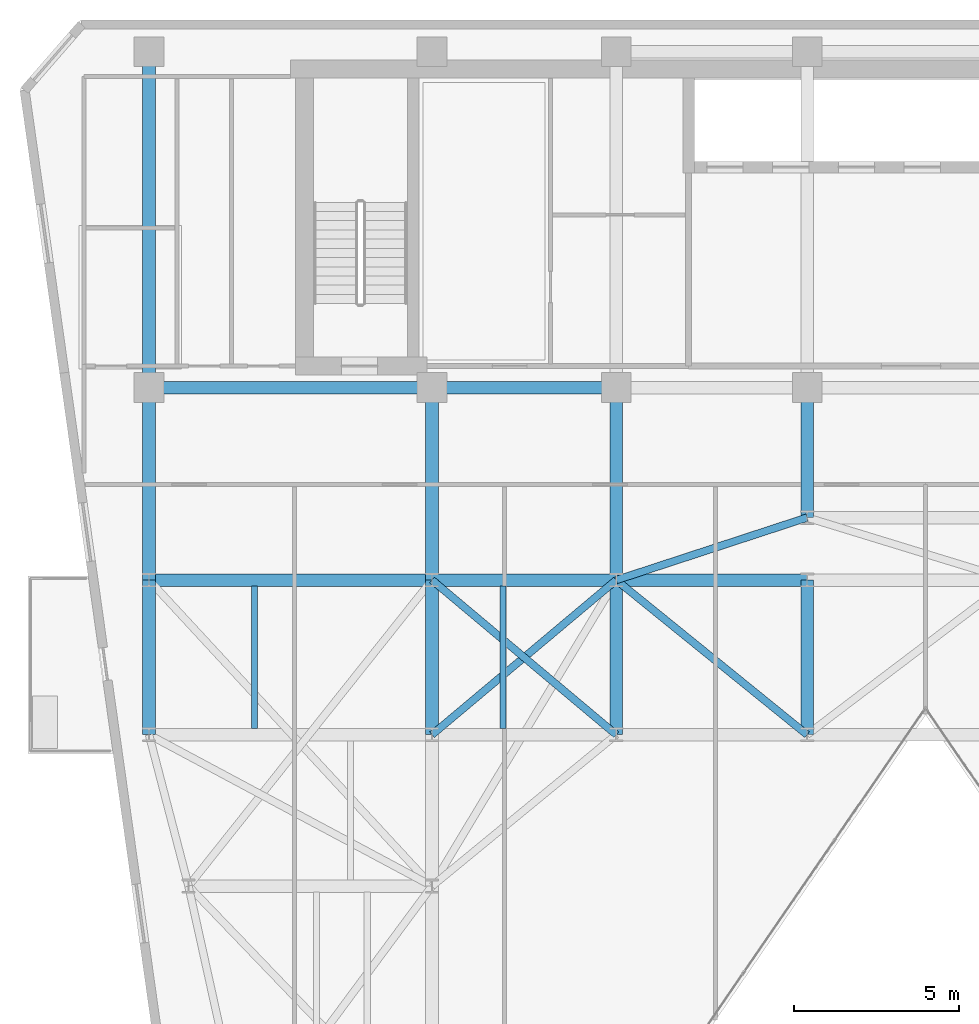
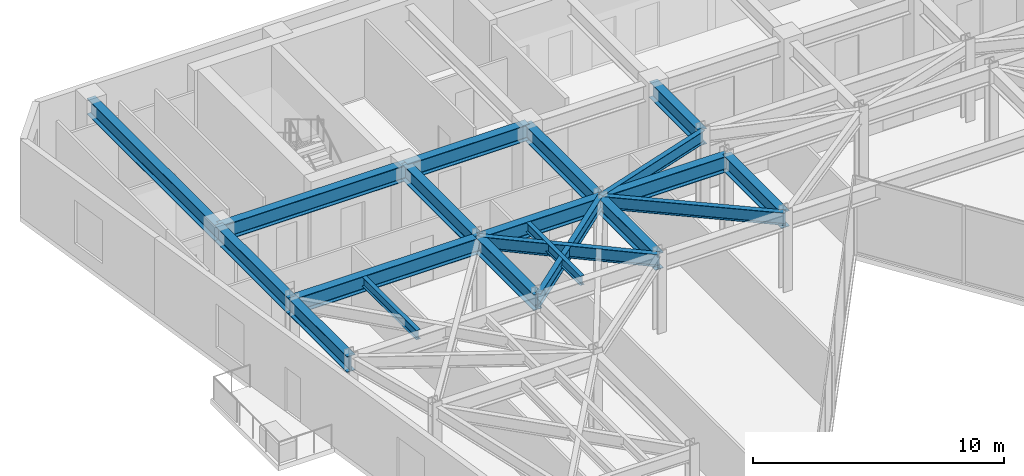
# One storey, part 7 of 21: 20 beams.
"""IFC4 building model written with IfcOpenShell, lengths in metres."""

from ifc_helpers import new_model, si_unit, direction, frame, origin, origin_2d, place, context, subcontext, project, spatial, i_section, extrude, material, material_profile, profile_set, type_object, element, save


model = new_model("IFC4")

# Units and contexts
model_context = context("Model", 3, precision=1e-05, world=origin(), true_north=direction((0.0, 1.0)))
body_context = subcontext(model_context, "Body", "Model", "MODEL_VIEW")
ifc_project = project(units=[si_unit("LENGTHUNIT", "METRE"), si_unit("AREAUNIT", "SQUARE_METRE"), si_unit("VOLUMEUNIT", "CUBIC_METRE"), si_unit("PLANEANGLEUNIT", "RADIAN"), si_unit("MASSUNIT", "GRAM", prefix="KILO")], contexts=[model_context])

# Site, building, storey
site_placement = place(None, origin())
site = spatial("IfcSite", under=ifc_project, at=site_placement, CompositionType="ELEMENT")
building_placement = place(site_placement, origin())
building = spatial("IfcBuilding", under=site, at=building_placement, Name="Kravanh Interchange Tower", CompositionType="ELEMENT")
storey_placement = place(building_placement, frame((0.0, 0.0, 168.5)))
storey = spatial("IfcBuildingStorey", under=building, at=storey_placement, Name="L40", CompositionType="ELEMENT", Elevation=168.5)

# Beams
ifc_material_1 = material(Name="Structural Steel S355", Category="steel")
ifc_material_profile_1 = material_profile(ifc_material_1, i_section(OverallWidth=0.381103515625, OverallDepth=0.77294921875, WebThickness=0.0166015625, FlangeThickness=0.027099609375, FilletRadius=0.02490234375, at=origin_2d()), Name="W30X173")
ifc_profile_set_1 = profile_set([ifc_material_profile_1], Name="Structural Steel S355")
beam_type_1 = type_object("IfcBeamType", Name="Floor Beam W30X173 Structural Steel S355", PredefinedType="BEAM", material=ifc_profile_set_1)
beam_1_placement = place(storey_placement, frame((38.60009765625, 37.35009765625, 3.368408203125), z_axis=(0.0, -1.0, 0.0), x_axis=(1.0, 0.0, 0.0)))
element("IfcBeam", 1, at=beam_1_placement, inside=storey, type_object=beam_type_1, Name="L40 Primary Floor Girder 16", PredefinedType="BEAM", context=body_context, shape_type="SweptSolid", body=[
    extrude(i_section(OverallWidth=0.381103515625, OverallDepth=0.77294921875, WebThickness=0.0166015625, FlangeThickness=0.027099609375, FilletRadius=0.02490234375, at=origin_2d()), origin(), (0.0, 0.0, 1.0), 3.9501953125),
])
beam_2_placement = place(storey_placement, frame((32.800048828125, 37.35009765625, 3.368408203125), z_axis=(-1.0, 0.0, 0.0), x_axis=(0.0, -1.0, 0.0)))
element("IfcBeam", 2, at=beam_2_placement, inside=storey, type_object=beam_type_1, Name="L40 Primary Floor Girder 20", PredefinedType="BEAM", context=body_context, shape_type="SweptSolid", body=[
    extrude(i_section(OverallWidth=0.381103515625, OverallDepth=0.77294921875, WebThickness=0.0166015625, FlangeThickness=0.027099609375, FilletRadius=0.02490234375, at=origin_2d()), origin(), (0.0, 0.0, 1.0), 5.60009765625),
])
for number, where, z_axis, x_axis, name in (
    (3, (32.800048828125, 37.35009765625, 3.368408203125), (0.0, -1.0, 0.0), (1.0, 0.0, 0.0), "L40 Primary Floor Girder 21"),
    (4, (27.199951171875, 37.35009765625, 3.368408203125), (0.0, -1.0, 0.0), (1.0, 0.0, 0.0), "L40 Primary Floor Girder 24"),
):
    element("IfcBeam", number, at=place(storey_placement, frame(where, z_axis=z_axis, x_axis=x_axis)), inside=storey, type_object=beam_type_1, Name=name, PredefinedType="BEAM", context=body_context, shape_type="SweptSolid", body=[
        extrude(i_section(OverallWidth=0.381103515625, OverallDepth=0.77294921875, WebThickness=0.0166015625, FlangeThickness=0.027099609375, FilletRadius=0.02490234375, at=origin_2d()), origin(), (0.0, 0.0, 1.0), 5.85009765625),
    ])
beam_3_placement = place(storey_placement, frame((27.199951171875, 37.35009765625, 3.368408203125), z_axis=(-1.0, 0.0, 0.0), x_axis=(0.0, -1.0, 0.0)))
element("IfcBeam", 5, at=beam_3_placement, inside=storey, type_object=beam_type_1, Name="L40 Primary Floor Girder 25", PredefinedType="BEAM", context=body_context, shape_type="SweptSolid", body=[
    extrude(i_section(OverallWidth=0.381103515625, OverallDepth=0.77294921875, WebThickness=0.0166015625, FlangeThickness=0.027099609375, FilletRadius=0.02490234375, at=origin_2d()), origin(), (0.0, 0.0, 1.0), 8.599853515625),
])
beam_4_placement = place(storey_placement, frame((18.60009765625, 37.35009765625, 3.368408203125), z_axis=(0.0, -1.0, 0.0), x_axis=(1.0, 0.0, 0.0)))
element("IfcBeam", 6, at=beam_4_placement, inside=storey, type_object=beam_type_1, Name="L40 Primary Floor Girder 28", PredefinedType="BEAM", context=body_context, shape_type="SweptSolid", body=[
    extrude(i_section(OverallWidth=0.381103515625, OverallDepth=0.77294921875, WebThickness=0.0166015625, FlangeThickness=0.027099609375, FilletRadius=0.02490234375, at=origin_2d()), origin(), (0.0, 0.0, 1.0), 5.85009765625),
])
beam_5_placement = place(storey_placement, frame((18.60009765625, 37.35009765625, 3.368408203125), z_axis=(0.0, 1.0, 0.0), x_axis=(-1.0, 0.0, 0.0)))
element("IfcBeam", 7, at=beam_5_placement, inside=storey, type_object=beam_type_1, Name="L40 Primary Floor Girder 29", PredefinedType="BEAM", context=body_context, shape_type="SweptSolid", body=[
    extrude(i_section(OverallWidth=0.381103515625, OverallDepth=0.77294921875, WebThickness=0.0166015625, FlangeThickness=0.027099609375, FilletRadius=0.02490234375, at=origin_2d()), origin(), (0.0, 0.0, 1.0), 10.199951171875),
])
for number, where, z_axis, x_axis, name in (
    (8, (18.60009765625, 26.800048828125, 3.368408203125), (0.0, 1.0, 0.0), (-1.0, 0.0, 0.0), "L40 Primary Floor Girder 33"),
    (9, (27.199951171875, 26.800048828125, 3.368408203125), (0.0, 1.0, 0.0), (-1.0, 0.0, 0.0), "L40 Primary Floor Girder 38"),
    (10, (32.800048828125, 26.800048828125, 3.368408203125), (0.0, 1.0, 0.0), (-1.0, 0.0, 0.0), "L40 Primary Floor Girder 41"),
    (11, (38.60009765625, 26.800048828125, 3.368408203125), (0.0, 1.0, 0.0), (-1.0, 0.0, 0.0), "L40 Primary Floor Girder 45"),
):
    element("IfcBeam", number, at=place(storey_placement, frame(where, z_axis=z_axis, x_axis=x_axis)), inside=storey, type_object=beam_type_1, Name=name, PredefinedType="BEAM", context=body_context, shape_type="SweptSolid", body=[
        extrude(i_section(OverallWidth=0.381103515625, OverallDepth=0.77294921875, WebThickness=0.0166015625, FlangeThickness=0.027099609375, FilletRadius=0.02490234375, at=origin_2d()), origin(), (0.0, 0.0, 1.0), 4.699951171875),
    ])
beam_6_placement = place(storey_placement, frame((18.60009765625, 31.5, 3.368408203125), z_axis=(1.0, 0.0, 0.0), x_axis=(0.0, 1.0, 0.0)))
element("IfcBeam", 12, at=beam_6_placement, inside=storey, type_object=beam_type_1, Name="L40 Primary Floor Girder 61", PredefinedType="BEAM", context=body_context, shape_type="SweptSolid", body=[
    extrude(i_section(OverallWidth=0.381103515625, OverallDepth=0.77294921875, WebThickness=0.0166015625, FlangeThickness=0.027099609375, FilletRadius=0.02490234375, at=origin_2d()), origin(), (0.0, 0.0, 1.0), 8.599853515625),
])
beam_7_placement = place(storey_placement, frame((27.199951171875, 31.5, 3.368408203125), z_axis=(1.0, 0.0, 0.0), x_axis=(0.0, 1.0, 0.0)))
element("IfcBeam", 13, at=beam_7_placement, inside=storey, type_object=beam_type_1, Name="L40 Primary Floor Girder 64", PredefinedType="BEAM", context=body_context, shape_type="SweptSolid", body=[
    extrude(i_section(OverallWidth=0.381103515625, OverallDepth=0.77294921875, WebThickness=0.0166015625, FlangeThickness=0.027099609375, FilletRadius=0.02490234375, at=origin_2d()), origin(), (0.0, 0.0, 1.0), 5.60009765625),
])
beam_8_placement = place(storey_placement, frame((32.800048828125, 31.5, 3.368408203125), z_axis=(1.0, 0.0, 0.0), x_axis=(0.0, 1.0, 0.0)))
element("IfcBeam", 14, at=beam_8_placement, inside=storey, type_object=beam_type_1, Name="L40 Primary Floor Girder 67", PredefinedType="BEAM", context=body_context, shape_type="SweptSolid", body=[
    extrude(i_section(OverallWidth=0.381103515625, OverallDepth=0.77294921875, WebThickness=0.0166015625, FlangeThickness=0.027099609375, FilletRadius=0.02490234375, at=origin_2d()), origin(), (0.0, 0.0, 1.0), 5.800048828125),
])
ifc_material_2 = material(Name="Structural Steel S355", Category="steel")
ifc_material_profile_2 = material_profile(ifc_material_2, i_section(OverallWidth=0.18994140625, OverallDepth=0.45703125, WebThickness=0.009033203125, FlangeThickness=0.014404296875, FilletRadius=0.01806640625, at=origin_2d()), Name="W18X50")
ifc_profile_set_2 = profile_set([ifc_material_profile_2], Name="Structural Steel S355")
beam_type_2 = type_object("IfcBeamType", Name="Floor Joist W18X50 Structural Steel S355", PredefinedType="JOIST", material=ifc_profile_set_2)
for number, where, z_axis, x_axis, name in (
    (15, (21.804931640625, 26.985595703125, 3.526611328125), (0.0, 1.0, 0.0), (-1.0, 0.0, 0.0), "L40 Secondary Floor Joist 9"),
    (16, (29.35498046875, 26.985595703125, 3.526611328125), (0.0, 1.0, 0.0), (-1.0, 0.0, 0.0), "L40 Secondary Floor Joist 11"),
):
    element("IfcBeam", number, at=place(storey_placement, frame(where, z_axis=z_axis, x_axis=x_axis)), inside=storey, type_object=beam_type_2, Name=name, PredefinedType="JOIST", context=body_context, shape_type="SweptSolid", body=[
        extrude(i_section(OverallWidth=0.18994140625, OverallDepth=0.45703125, WebThickness=0.009033203125, FlangeThickness=0.014404296875, FilletRadius=0.01806640625, at=origin_2d()), origin(), (0.0, 0.0, 1.0), 4.328857421875),
    ])
ifc_material_3 = material(Name="Structural Steel S355", Category="steel")
ifc_material_profile_3 = material_profile(ifc_material_3, i_section(OverallWidth=0.22802734375, OverallDepth=0.60791015625, WebThickness=0.01123046875, FlangeThickness=0.017333984375, FilletRadius=0.02197265625, at=origin_2d()), Name="W24X76")
ifc_profile_set_3 = profile_set([ifc_material_profile_3], Name="Structural Steel S355")
beam_type_3 = type_object("IfcBeamType", Name="Floor Spandrel W24X76 Structural Steel S355", PredefinedType="SPANDREL", material=ifc_profile_set_3)
for number, where, z_axis, x_axis, name in (
    (17, (27.199951171875, 26.800048828125, 3.450927734375), (0.765983062929, 0.642860752657, 0.0), (-0.642860752657, 0.765983062929, 0.0), "L40 Perimeter Spandrel 40"),
    (18, (32.800048828125, 26.800048828125, 3.450927734375), (-0.765983062929, 0.642860752657, 0.0), (-0.642860752657, -0.765983062929, 0.0), "L40 Perimeter Spandrel 44"),
):
    element("IfcBeam", number, at=place(storey_placement, frame(where, z_axis=z_axis, x_axis=x_axis)), inside=storey, type_object=beam_type_3, Name=name, PredefinedType="SPANDREL", context=body_context, shape_type="SweptSolid", body=[
        extrude(i_section(OverallWidth=0.22802734375, OverallDepth=0.60791015625, WebThickness=0.01123046875, FlangeThickness=0.017333984375, FilletRadius=0.02197265625, at=origin_2d()), origin(), (0.0, 0.0, 1.0), 7.31103515625),
    ])
beam_9_placement = place(storey_placement, frame((38.60009765625, 26.800048828125, 3.450927734375), z_axis=(-0.776938619557, 0.629576350764, 0.0), x_axis=(-0.629576350764, -0.776938619557, 0.0)))
element("IfcBeam", 19, at=beam_9_placement, inside=storey, type_object=beam_type_3, Name="L40 Perimeter Spandrel 46", PredefinedType="SPANDREL", context=body_context, shape_type="SweptSolid", body=[
    extrude(i_section(OverallWidth=0.22802734375, OverallDepth=0.60791015625, WebThickness=0.01123046875, FlangeThickness=0.017333984375, FilletRadius=0.02197265625, at=origin_2d()), origin(), (0.0, 0.0, 1.0), 7.46533203125),
])
beam_10_placement = place(storey_placement, frame((32.800048828125, 31.5, 3.450927734375), z_axis=(0.950314536578, 0.31129131303, 0.0), x_axis=(-0.31129131303, 0.950314536578, 0.0)))
element("IfcBeam", 20, at=beam_10_placement, inside=storey, type_object=beam_type_3, Name="L40 Perimeter Spandrel 68", PredefinedType="SPANDREL", context=body_context, shape_type="SweptSolid", body=[
    extrude(i_section(OverallWidth=0.22802734375, OverallDepth=0.60791015625, WebThickness=0.01123046875, FlangeThickness=0.017333984375, FilletRadius=0.02197265625, at=origin_2d()), origin(), (0.0, 0.0, 1.0), 6.103271484375),
])

save(model, "model.ifc")
